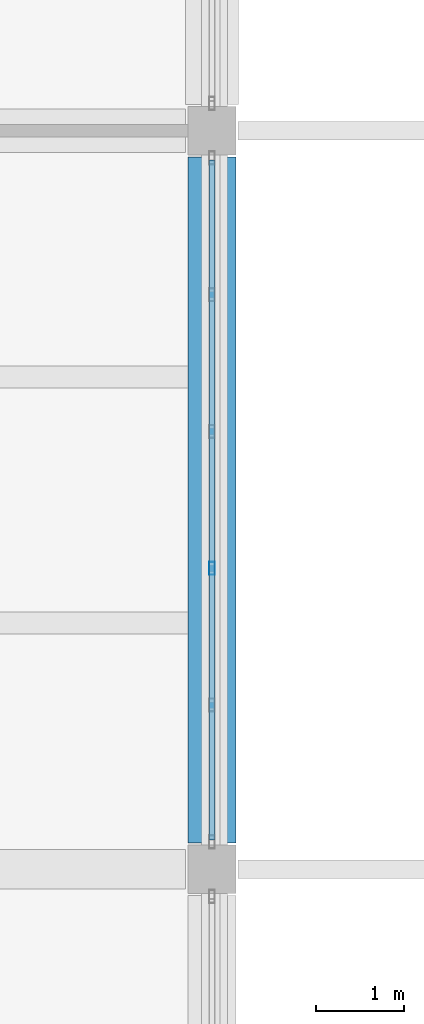
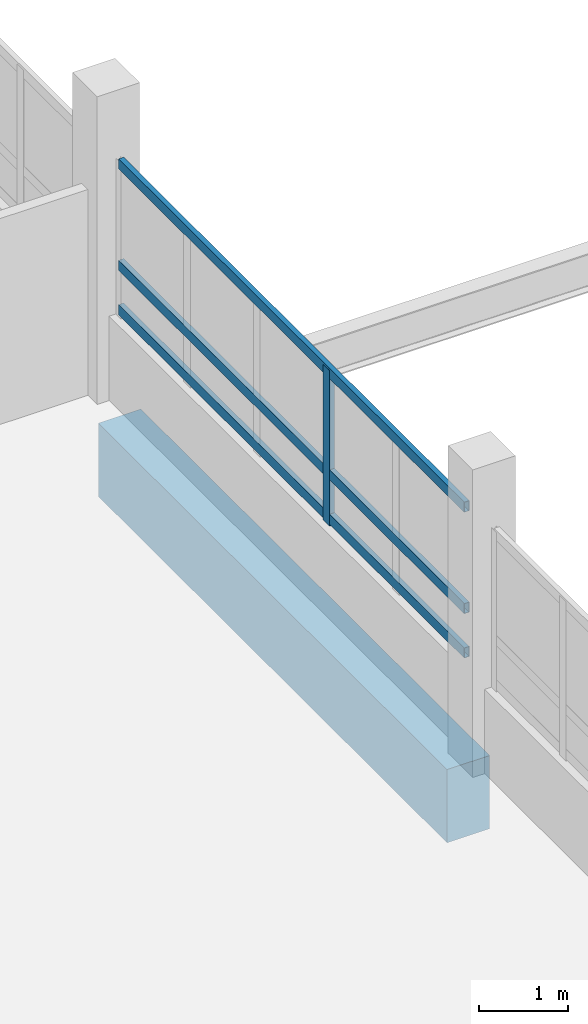
# One storey, part 37 of 130: 4 members, 1 beam, 1 element without a shape of its own.
"""IFC4 building model written with IfcOpenShell, lengths in metres."""

from ifc_helpers import new_model, si_unit, direction, frame, origin, origin_2d, place, context, subcontext, project, spatial, rectangle, hollow_rectangle, extrude, material, layer, layer_set, material_profile, profile_set, type_object, element, aggregate, save


model = new_model("IFC4")

# Units and contexts
model_context = context("Model", 3, precision=1e-05, world=origin(), true_north=direction((0.0, 1.0)))
body_context = subcontext(model_context, "Body", "Model", "MODEL_VIEW")
ifc_project = project(units=[si_unit("LENGTHUNIT", "METRE"), si_unit("AREAUNIT", "SQUARE_METRE"), si_unit("VOLUMEUNIT", "CUBIC_METRE"), si_unit("PLANEANGLEUNIT", "RADIAN"), si_unit("MASSUNIT", "GRAM", prefix="KILO")], contexts=[model_context])

# Site, building, storey
site_placement = place(None, origin())
site = spatial("IfcSite", under=ifc_project, at=site_placement, CompositionType="ELEMENT")
building_placement = place(site_placement, origin())
building = spatial("IfcBuilding", under=site, at=building_placement, Name="Vireocrest Preparatory School", CompositionType="ELEMENT")
storey_placement = place(building_placement, frame((0.0, 0.0, 9.0)))
storey = spatial("IfcBuildingStorey", under=building, at=storey_placement, Name="L02", CompositionType="ELEMENT", Elevation=9.0)

# Curtain wall, members
ifc_material_1 = material(Name="Thermally broken aluminium EN AW-6063-T6", Category="aluminium")
ifc_layer = layer(ifc_material_1, 0.179931640625)
ifc_layer_set = layer_set([ifc_layer], Name="Thermally broken aluminium EN AW-6063-T6")
curtain_wall_type = type_object("IfcCurtainWallType", Name="Court Banded Curtain Wall 8400x3000", PredefinedType="USERDEFINED", material=ifc_layer_set)
curtain_wall_placement = place(storey_placement, origin())
curtain_wall = element("IfcCurtainWall", 1, at=curtain_wall_placement, inside=storey, type_object=curtain_wall_type, Name="Curtain Wall CW02 CW_L02_CW02_0672_0524_102", ObjectType="CURTAIN WALL", PredefinedType="USERDEFINED")
ifc_material_profile_1 = material_profile(ifc_material_1, hollow_rectangle(XDim=0.06494140625, YDim=0.14990234375, WallThickness=0.00390625, at=origin_2d()), Name="ALU 65x150x4")
ifc_profile_set_1 = profile_set([ifc_material_profile_1], Name="Thermally broken aluminium EN AW-6063-T6")
member_type_1 = type_object("IfcMemberType", Name="CW Mullion 65x150x4", PredefinedType="MULLION", material=ifc_profile_set_1)
member_1_placement = place(storey_placement, frame((67.199951171875, 55.6220703125, 1.14990234375), z_axis=(0.0, 0.0, 1.0), x_axis=(1.0, 0.0, 0.0)))
member_1 = element("IfcMember", 2, at=member_1_placement, type_object=member_type_1, Name="CW Mullion ML1 CW_L02_CW02_0672_0524_102-3", PredefinedType="MULLION", context=body_context, shape_type="SweptSolid", body=[
    extrude(hollow_rectangle(XDim=0.06494140625, YDim=0.14990234375, WallThickness=0.00390625, at=origin_2d()), origin(), (0.0, 0.0, 1.0), 2.125),
])
ifc_material_profile_2 = material_profile(ifc_material_1, hollow_rectangle(XDim=0.06494140625, YDim=0.139892578125, WallThickness=0.00390625, at=origin_2d()), Name="ALU 65x140x4")
ifc_profile_set_2 = profile_set([ifc_material_profile_2], Name="Thermally broken aluminium EN AW-6063-T6")
member_type_2 = type_object("IfcMemberType", Name="CW Transom 65x140x4", PredefinedType="USERDEFINED", material=ifc_profile_set_2)
member_2_placement = place(storey_placement, frame((67.199951171875, 52.534912109375, 1.2451171875), z_axis=(0.0, 1.0, 0.0), x_axis=(-1.0, 0.0, 0.0)))
member_2 = element("IfcMember", 3, at=member_2_placement, type_object=member_type_2, Name="CW Transom TR1 CW_L02_CW02_0672_0524_102-1", ObjectType="TRANSOM", PredefinedType="USERDEFINED", context=body_context, shape_type="SweptSolid", body=[
    extrude(hollow_rectangle(XDim=0.06494140625, YDim=0.139892578125, WallThickness=0.00390625, at=origin_2d()), origin(), (0.0, 0.0, 1.0), 7.72998046875),
])
member_3_placement = place(storey_placement, frame((67.199951171875, 52.534912109375, 1.85009765625), z_axis=(0.0, 1.0, 0.0), x_axis=(-1.0, 0.0, 0.0)))
member_3 = element("IfcMember", 4, at=member_3_placement, type_object=member_type_2, Name="CW Transom TR1 CW_L02_CW02_0672_0524_102-2", ObjectType="TRANSOM", PredefinedType="USERDEFINED", context=body_context, shape_type="SweptSolid", body=[
    extrude(hollow_rectangle(XDim=0.06494140625, YDim=0.139892578125, WallThickness=0.00390625, at=origin_2d()), origin(), (0.0, 0.0, 1.0), 7.72998046875),
])
member_4_placement = place(storey_placement, frame((67.199951171875, 52.534912109375, 3.235107421875), z_axis=(0.0, 1.0, 0.0), x_axis=(-1.0, 0.0, 0.0)))
member_4 = element("IfcMember", 5, at=member_4_placement, type_object=member_type_2, Name="CW Transom TR1 CW_L02_CW02_0672_0524_102-3", ObjectType="TRANSOM", PredefinedType="USERDEFINED", context=body_context, shape_type="SweptSolid", body=[
    extrude(hollow_rectangle(XDim=0.06494140625, YDim=0.139892578125, WallThickness=0.00390625, at=origin_2d()), origin(), (0.0, 0.0, 1.0), 7.72998046875),
])
aggregate(curtain_wall, [member_1, member_2, member_3, member_4])

# Beam
ifc_material_2 = material(Name="Concrete 40 MPa", Category="concrete")
ifc_material_profile_3 = material_profile(ifc_material_2, rectangle(XDim=0.550048828125, YDim=1.0, at=origin_2d()), Name="RC 550x1000")
ifc_profile_set_3 = profile_set([ifc_material_profile_3], Name="Concrete 40 MPa")
beam_type = type_object("IfcBeamType", Name="RC Core Coupling Beam 550x1000", PredefinedType="BEAM", material=ifc_profile_set_3)
beam_placement = place(storey_placement, frame((67.199951171875, 52.5, -0.739990234375), z_axis=(0.0, 1.0, 0.0), x_axis=(-1.0, 0.0, 0.0)))
element("IfcBeam", 6, at=beam_placement, inside=storey, type_object=beam_type, Name="Primary Girder B18 L02-0821", PredefinedType="BEAM", context=body_context, shape_type="SweptSolid", body=[
    extrude(rectangle(XDim=0.550048828125, YDim=1.0, at=origin_2d()), origin(), (0.0, 0.0, 1.0), 7.800048828125),
])

save(model, "model.ifc")
